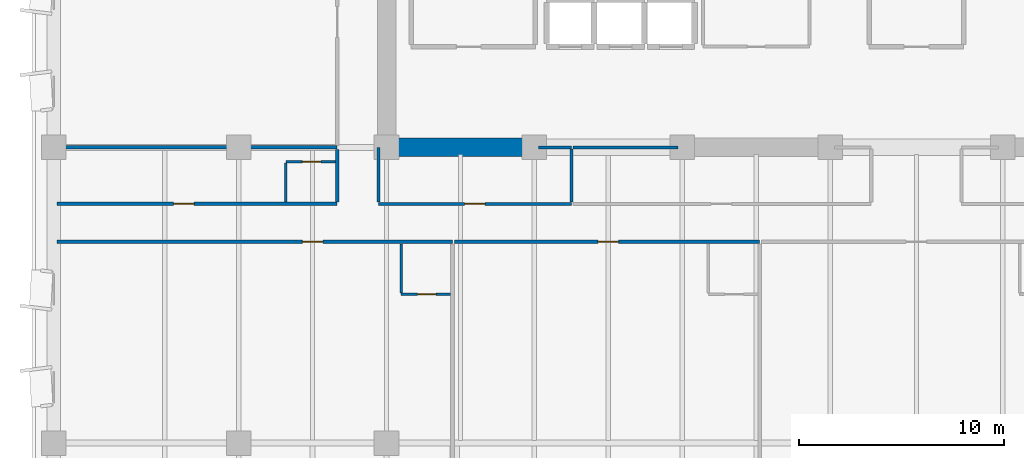
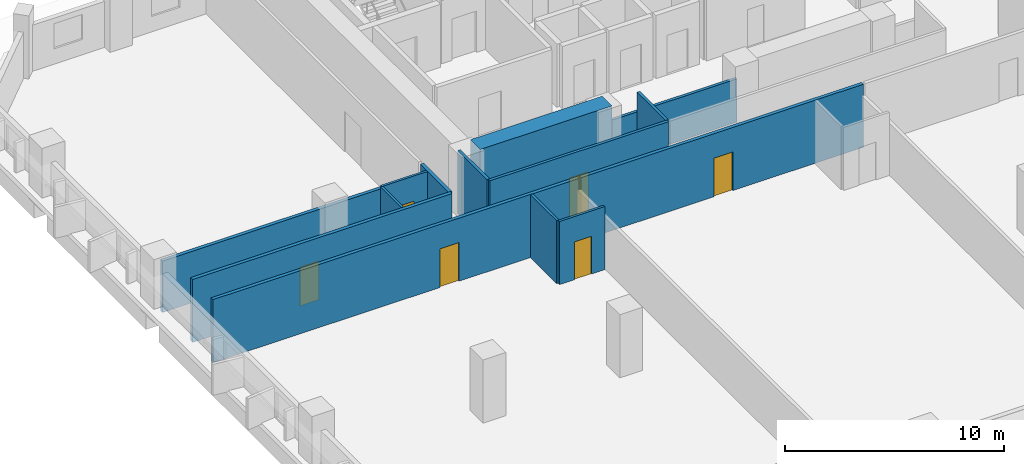
# One storey, part 4 of 14: 15 walls, 6 doors, 6 openings.
"""IFC4 building model written with IfcOpenShell, lengths in metres."""

from ifc_helpers import new_model, si_unit, direction, frame, frame_2d, origin, place, context, subcontext, project, spatial, rectangle, extrude, material, layer, layer_set, type_object, element, fill, save


model = new_model("IFC4")

# Units and contexts
model_context = context("Model", 3, precision=1e-05, world=origin(), true_north=direction((0.0, 1.0)))
body_context = subcontext(model_context, "Body", "Model", "MODEL_VIEW")
ifc_project = project(units=[si_unit("LENGTHUNIT", "METRE"), si_unit("AREAUNIT", "SQUARE_METRE"), si_unit("VOLUMEUNIT", "CUBIC_METRE"), si_unit("PLANEANGLEUNIT", "RADIAN"), si_unit("MASSUNIT", "GRAM", prefix="KILO")], contexts=[model_context])

# Site, building, storey
site_placement = place(None, origin())
site = spatial("IfcSite", under=ifc_project, at=site_placement, CompositionType="ELEMENT")
building_placement = place(site_placement, origin())
building = spatial("IfcBuilding", under=site, at=building_placement, Name="Kaelvorn Grand Hotel", CompositionType="ELEMENT")
storey_placement = place(building_placement, frame((0.0, 0.0, 123.050048828125)))
storey = spatial("IfcBuildingStorey", under=building, at=storey_placement, Name="L29", CompositionType="ELEMENT", Elevation=123.050048828125)

# Wall
ifc_material_1 = material(Name="Concrete C60/75", Category="concrete")
ifc_layer_1 = layer(ifc_material_1, 0.89990234375)
ifc_layer_set_1 = layer_set([ifc_layer_1], Name="Concrete C60/75")
wall_type_1 = type_object("IfcWallType", Name="WL-CORE-900-C60", PredefinedType="SHEAR", material=ifc_layer_set_1)
wall_1_placement = place(storey_placement, frame((16.655029296875, 29.39990234375, 0.0), z_axis=(0.0, 0.0, 1.0), x_axis=(1.0, 0.0, 0.0)))
element("IfcWall", 1, at=wall_1_placement, inside=storey, type_object=wall_type_1, Name="L29 Rear-Core Coupled Shear Pier S1", PredefinedType="SHEAR", context=body_context, shape_type="SweptSolid", body=[
    extrude(rectangle(XDim=6.945068359375, YDim=0.89990234375, at=frame_2d((3.47265625, 0.0))), origin(), (0.0, 0.0, 1.0), 3.510009765625),
])

# Wall, opening, door
ifc_material_2 = material(Name="Moisture-Resistant Tile & Stud Board")
ifc_layer_2 = layer(ifc_material_2, 0.125)
ifc_layer_set_2 = layer_set([ifc_layer_2], Name="Moisture-Resistant Tile & Stud Board")
wall_type_2 = type_object("IfcWallType", Name="WL-PART-125-WET", PredefinedType="PARTITIONING", material=ifc_layer_set_2)
wall_2_placement = place(storey_placement, frame((16.909912109375, 22.25, 0.0), z_axis=(0.0, 0.0, 1.0), x_axis=(1.0, 0.0, 0.0)))
wall_2 = element("IfcWall", 2, at=wall_2_placement, inside=storey, type_object=wall_type_2, Name="L29 En-suite Bathroom L29-01 S Partition", PredefinedType="PARTITIONING", context=body_context, shape_type="SweptSolid", body=[
    extrude(rectangle(XDim=2.40478515625, YDim=0.125, at=frame_2d((1.202392578125, 0.0))), origin(), (0.0, 0.0, 1.0), 3.510009765625),
])
opening_1_placement = place(wall_2_placement, frame((0.800048828125, 0.0, 0.0)))
opening_1 = element("IfcOpeningElement", 3, at=opening_1_placement, cuts=wall_2, Name="Opening DI4", PredefinedType="OPENING", context=body_context, shape_type="SweptSolid", body=[
    extrude(rectangle(XDim=0.89990234375, YDim=2.10009765625, at=frame_2d((0.449951171875, 1.050048828125))), frame((0.0, 0.072509765625, 0.0), z_axis=(0.0, -1.0, 0.0), x_axis=(1.0, 0.0, 0.0)), (0.0, 0.0, 1.0), 0.14501953125),
])
ifc_material_3 = material(Name="Timber Veneer Leaf", Category="wood")
door_type_1 = type_object("IfcDoorType", Name="DR-INT-BATH-900x2100", OperationType="NOTDEFINED", PredefinedType="DOOR", material=ifc_material_3)
door_1_placement = place(opening_1_placement, origin())
door_1 = element("IfcDoor", 4, at=door_1_placement, inside=storey, type_object=door_type_1, Name="L29 En-suite Bathroom L29-01 Door", OperationType="SINGLE_SWING_LEFT", OverallHeight=2.10009765625, OverallWidth=0.89990234375, PredefinedType="DOOR", context=body_context, shape_type="SweptSolid", body=[
    extrude(rectangle(XDim=0.89990234375, YDim=2.10009765625, at=frame_2d((0.449951171875, 1.050048828125))), frame((0.0, 0.02490234375, 0.0), z_axis=(0.0, -1.0, 0.0), x_axis=(1.0, 0.0, 0.0)), (0.0, 0.0, 1.0), 0.050048828125),
])
fill(opening_1, door_1)

# Wall
wall_3_placement = place(storey_placement, frame((16.909912109375, 22.3173828125, 0.0), z_axis=(0.0, 0.0, 1.0), x_axis=(0.0, 1.0, 0.0)))
element("IfcWall", 5, at=wall_3_placement, inside=storey, type_object=wall_type_2, Name="L29 En-suite Bathroom L29-01 W Partition", PredefinedType="PARTITIONING", context=body_context, shape_type="SweptSolid", body=[
    extrude(rectangle(XDim=2.3876953125, YDim=0.125, at=frame_2d((1.19384765625, 0.0))), origin(), (0.0, 0.0, 1.0), 3.510009765625),
])

# Wall, opening, door
wall_4_placement = place(storey_placement, frame((11.300048828125, 28.699951171875, 0.0), z_axis=(0.0, 0.0, 1.0), x_axis=(1.0, 0.0, 0.0)))
wall_4 = element("IfcWall", 6, at=wall_4_placement, inside=storey, type_object=wall_type_2, Name="L29 En-suite Bathroom L29-06 N Partition", PredefinedType="PARTITIONING", context=body_context, shape_type="SweptSolid", body=[
    extrude(rectangle(XDim=2.405029296875, YDim=0.125, at=frame_2d((1.20263671875, 0.0))), origin(), (0.0, 0.0, 1.0), 3.510009765625),
])
opening_2_placement = place(wall_4_placement, frame((0.800048828125, 0.0, 0.0)))
opening_2 = element("IfcOpeningElement", 7, at=opening_2_placement, cuts=wall_4, Name="Opening DI4", PredefinedType="OPENING", context=body_context, shape_type="SweptSolid", body=[
    extrude(rectangle(XDim=0.89990234375, YDim=2.10009765625, at=frame_2d((0.449951171875, 1.050048828125))), frame((0.0, 0.072509765625, 0.0), z_axis=(0.0, -1.0, 0.0), x_axis=(1.0, 0.0, 0.0)), (0.0, 0.0, 1.0), 0.14501953125),
])
door_2_placement = place(opening_2_placement, origin())
door_2 = element("IfcDoor", 8, at=door_2_placement, inside=storey, type_object=door_type_1, Name="L29 En-suite Bathroom L29-06 Door", OperationType="SINGLE_SWING_LEFT", OverallHeight=2.10009765625, OverallWidth=0.89990234375, PredefinedType="DOOR", context=body_context, shape_type="SweptSolid", body=[
    extrude(rectangle(XDim=0.89990234375, YDim=2.10009765625, at=frame_2d((0.449951171875, 1.050048828125))), frame((0.0, 0.02490234375, 0.0), z_axis=(0.0, -1.0, 0.0), x_axis=(1.0, 0.0, 0.0)), (0.0, 0.0, 1.0), 0.050048828125),
])
fill(opening_2, door_2)

# Wall
wall_5_placement = place(storey_placement, frame((11.300048828125, 26.7451171875, 0.0), z_axis=(0.0, 0.0, 1.0), x_axis=(0.0, 1.0, 0.0)))
element("IfcWall", 9, at=wall_5_placement, inside=storey, type_object=wall_type_2, Name="L29 En-suite Bathroom L29-06 W Partition", PredefinedType="PARTITIONING", context=body_context, shape_type="SweptSolid", body=[
    extrude(rectangle(XDim=1.887451171875, YDim=0.125, at=frame_2d((0.94384765625, 0.0))), origin(), (0.0, 0.0, 1.0), 3.510009765625),
])

# Wall, opening, door
ifc_material_4 = material(Name="Acoustic Gypsum & Stud Partition")
ifc_layer_3 = layer(ifc_material_4, 0.14990234375)
ifc_layer_set_3 = layer_set([ifc_layer_3], Name="Acoustic Gypsum & Stud Partition")
wall_type_3 = type_object("IfcWallType", Name="WL-PART-150-EI60", PredefinedType="PARTITIONING", material=ifc_layer_set_3)
wall_6_placement = place(storey_placement, frame((15.800048828125, 26.64990234375, 0.0), z_axis=(0.0, 0.0, 1.0), x_axis=(1.0, 0.0, 0.0)))
wall_6 = element("IfcWall", 10, at=wall_6_placement, inside=storey, type_object=wall_type_3, Name="L29 Music & Recital Salon S Partition", PredefinedType="PARTITIONING", context=body_context, shape_type="SweptSolid", body=[
    extrude(rectangle(XDim=9.39990234375, YDim=0.14990234375, at=frame_2d((4.699951171875, 0.0))), origin(), (0.0, 0.0, 1.0), 3.510009765625),
])
opening_3_placement = place(wall_6_placement, frame((4.199951171875, 0.0, 0.0)))
opening_3 = element("IfcOpeningElement", 11, at=opening_3_placement, cuts=wall_6, Name="Opening DI3", PredefinedType="OPENING", context=body_context, shape_type="SweptSolid", body=[
    extrude(rectangle(XDim=1.0, YDim=2.14990234375, at=frame_2d((0.5, 1.074951171875))), frame((0.0, 0.0849609375, 0.0), z_axis=(0.0, -1.0, 0.0), x_axis=(1.0, 0.0, 0.0)), (0.0, 0.0, 1.0), 0.169921875),
])
ifc_material_5 = material(Name="Timber Veneer Fire Leaf", Category="wood")
door_type_2 = type_object("IfcDoorType", Name="DR-INT-GUEST-1000x2150", OperationType="NOTDEFINED", PredefinedType="DOOR", material=ifc_material_5)
door_3_placement = place(opening_3_placement, origin())
door_3 = element("IfcDoor", 12, at=door_3_placement, inside=storey, type_object=door_type_2, Name="L29 Music & Recital Salon Door", OperationType="SINGLE_SWING_RIGHT", OverallHeight=2.14990234375, OverallWidth=1.0, PredefinedType="DOOR", context=body_context, shape_type="SweptSolid", body=[
    extrude(rectangle(XDim=1.0, YDim=2.14990234375, at=frame_2d((0.5, 1.074951171875))), frame((0.0, 0.02490234375, 0.0), z_axis=(0.0, -1.0, 0.0), x_axis=(1.0, 0.0, 0.0)), (0.0, 0.0, 1.0), 0.050048828125),
])
fill(opening_3, door_3)

# Walls
wall_7_placement = place(storey_placement, frame((23.610107421875, 29.39990234375, 0.0), z_axis=(0.0, 0.0, 1.0), x_axis=(1.0, 0.0, 0.0)))
element("IfcWall", 13, at=wall_7_placement, inside=storey, type_object=wall_type_3, Name="L29 Music & Recital Salon N Partition", PredefinedType="PARTITIONING", context=body_context, shape_type="SweptSolid", body=[
    extrude(rectangle(XDim=1.58984375, YDim=0.14990234375, at=frame_2d((0.794921875, 0.0))), origin(), (0.0, 0.0, 1.0), 2.409912109375),
])
wall_8_placement = place(storey_placement, frame((15.800048828125, 26.72998046875, 0.0), z_axis=(0.0, 0.0, 1.0), x_axis=(0.0, 1.0, 0.0)))
element("IfcWall", 14, at=wall_8_placement, inside=storey, type_object=wall_type_3, Name="L29 Music & Recital Salon W Partition", PredefinedType="PARTITIONING", context=body_context, shape_type="SweptSolid", body=[
    extrude(rectangle(XDim=2.659912109375, YDim=0.14990234375, at=frame_2d((1.330078125, 0.0))), origin(), (0.0, 0.0, 1.0), 3.510009765625),
])
wall_9_placement = place(storey_placement, frame((25.199951171875, 26.72998046875, 0.0), z_axis=(0.0, 0.0, 1.0), x_axis=(0.0, 1.0, 0.0)))
element("IfcWall", 15, at=wall_9_placement, inside=storey, type_object=wall_type_3, Name="L29 Music & Recital Salon E Partition", PredefinedType="PARTITIONING", context=body_context, shape_type="SweptSolid", body=[
    extrude(rectangle(XDim=2.590087890625, YDim=0.14990234375, at=frame_2d((1.294921875, 0.0))), origin(), (0.0, 0.0, 1.0), 3.510009765625),
])
wall_10_placement = place(storey_placement, frame((25.280029296875, 29.39990234375, 0.0), z_axis=(0.0, 0.0, 1.0), x_axis=(1.0, 0.0, 0.0)))
element("IfcWall", 16, at=wall_10_placement, inside=storey, type_object=wall_type_3, Name="L29 Banquet Prep Kitchen N Partition (1)", PredefinedType="PARTITIONING", context=body_context, shape_type="SweptSolid", body=[
    extrude(rectangle(XDim=5.10986328125, YDim=0.14990234375, at=frame_2d((2.554931640625, 0.0))), origin(), (0.0, 0.0, 1.0), 2.409912109375),
])

# Wall, opening, door
ifc_layer_4 = layer(ifc_material_4, 0.179931640625)
ifc_layer_set_4 = layer_set([ifc_layer_4], Name="Acoustic Gypsum & Stud Partition")
wall_type_4 = type_object("IfcWallType", Name="WL-PART-180-EI60", PredefinedType="PARTITIONING", material=ifc_layer_set_4)
wall_11_placement = place(storey_placement, frame((0.14990234375, 24.800048828125, 0.0), z_axis=(0.0, 0.0, 1.0), x_axis=(1.0, 0.0, 0.0)))
wall_11 = element("IfcWall", 17, at=wall_11_placement, inside=storey, type_object=wall_type_4, Name="L29 Presidential Sky Suite L29-01 N Partition", PredefinedType="PARTITIONING", context=body_context, shape_type="SweptSolid", body=[
    extrude(rectangle(XDim=19.260009765625, YDim=0.179931640625, at=frame_2d((9.6298828125, 0.0))), origin(), (0.0, 0.0, 1.0), 3.510009765625),
])
opening_4_placement = place(wall_11_placement, frame((11.949951171875, 0.0, 0.0)))
opening_4 = element("IfcOpeningElement", 18, at=opening_4_placement, cuts=wall_11, Name="Opening DI3", PredefinedType="OPENING", context=body_context, shape_type="SweptSolid", body=[
    extrude(rectangle(XDim=1.0, YDim=2.14990234375, at=frame_2d((0.5, 1.074951171875))), frame((0.0, 0.10009765625, 0.0), z_axis=(0.0, -1.0, 0.0), x_axis=(1.0, 0.0, 0.0)), (0.0, 0.0, 1.0), 0.199951171875),
])
door_4_placement = place(opening_4_placement, origin())
door_4 = element("IfcDoor", 19, at=door_4_placement, inside=storey, type_object=door_type_2, Name="L29 Presidential Sky Suite L29-01 Door", OperationType="SINGLE_SWING_RIGHT", OverallHeight=2.14990234375, OverallWidth=1.0, PredefinedType="DOOR", context=body_context, shape_type="SweptSolid", body=[
    extrude(rectangle(XDim=1.0, YDim=2.14990234375, at=frame_2d((0.5, 1.074951171875))), frame((0.0, 0.02490234375, 0.0), z_axis=(0.0, -1.0, 0.0), x_axis=(1.0, 0.0, 0.0)), (0.0, 0.0, 1.0), 0.050048828125),
])
fill(opening_4, door_4)

wall_12_placement = place(storey_placement, frame((19.5048828125, 24.800048828125, 0.0), z_axis=(0.0, 0.0, 1.0), x_axis=(1.0, 0.0, 0.0)))
wall_12 = element("IfcWall", 20, at=wall_12_placement, inside=storey, type_object=wall_type_4, Name="L29 Presidential Sky Suite L29-02 N Partition", PredefinedType="PARTITIONING", context=body_context, shape_type="SweptSolid", body=[
    extrude(rectangle(XDim=14.864501953125, YDim=0.179931640625, at=frame_2d((7.43212890625, 0.0))), origin(), (0.0, 0.0, 1.0), 3.510009765625),
])
opening_5_placement = place(wall_12_placement, frame((6.9951171875, 0.0, 0.0)))
opening_5 = element("IfcOpeningElement", 21, at=opening_5_placement, cuts=wall_12, Name="Opening DI3", PredefinedType="OPENING", context=body_context, shape_type="SweptSolid", body=[
    extrude(rectangle(XDim=1.0, YDim=2.14990234375, at=frame_2d((0.5, 1.074951171875))), frame((0.0, 0.10009765625, 0.0), z_axis=(0.0, -1.0, 0.0), x_axis=(1.0, 0.0, 0.0)), (0.0, 0.0, 1.0), 0.199951171875),
])
door_5_placement = place(opening_5_placement, origin())
door_5 = element("IfcDoor", 22, at=door_5_placement, inside=storey, type_object=door_type_2, Name="L29 Presidential Sky Suite L29-02 Door", OperationType="SINGLE_SWING_RIGHT", OverallHeight=2.14990234375, OverallWidth=1.0, PredefinedType="DOOR", context=body_context, shape_type="SweptSolid", body=[
    extrude(rectangle(XDim=1.0, YDim=2.14990234375, at=frame_2d((0.5, 1.074951171875))), frame((0.0, 0.02490234375, 0.0), z_axis=(0.0, -1.0, 0.0), x_axis=(1.0, 0.0, 0.0)), (0.0, 0.0, 1.0), 0.050048828125),
])
fill(opening_5, door_5)

wall_13_placement = place(storey_placement, frame((0.14990234375, 26.64990234375, 0.0), z_axis=(0.0, 0.0, 1.0), x_axis=(1.0, 0.0, 0.0)))
wall_13 = element("IfcWall", 23, at=wall_13_placement, inside=storey, type_object=wall_type_4, Name="L29 West Chamfer Corner Suite L29-06 S Partition", PredefinedType="PARTITIONING", context=body_context, shape_type="SweptSolid", body=[
    extrude(rectangle(XDim=13.650146484375, YDim=0.179931640625, at=frame_2d((6.8251953125, 0.0))), origin(), (0.0, 0.0, 1.0), 3.510009765625),
])
opening_6_placement = place(wall_13_placement, frame((5.68505859375, 0.0, 0.0)))
opening_6 = element("IfcOpeningElement", 24, at=opening_6_placement, cuts=wall_13, Name="Opening DI3", PredefinedType="OPENING", context=body_context, shape_type="SweptSolid", body=[
    extrude(rectangle(XDim=1.0, YDim=2.14990234375, at=frame_2d((0.5, 1.074951171875))), frame((0.0, 0.10009765625, 0.0), z_axis=(0.0, -1.0, 0.0), x_axis=(1.0, 0.0, 0.0)), (0.0, 0.0, 1.0), 0.199951171875),
])
door_6_placement = place(opening_6_placement, origin())
door_6 = element("IfcDoor", 25, at=door_6_placement, inside=storey, type_object=door_type_2, Name="L29 West Chamfer Corner Suite L29-06 Door", OperationType="SINGLE_SWING_RIGHT", OverallHeight=2.14990234375, OverallWidth=1.0, PredefinedType="DOOR", context=body_context, shape_type="SweptSolid", body=[
    extrude(rectangle(XDim=1.0, YDim=2.14990234375, at=frame_2d((0.5, 1.074951171875))), frame((0.0, 0.02490234375, 0.0), z_axis=(0.0, -1.0, 0.0), x_axis=(1.0, 0.0, 0.0)), (0.0, 0.0, 1.0), 0.050048828125),
])
fill(opening_6, door_6)

# Walls
wall_14_placement = place(storey_placement, frame((0.14990234375, 29.39990234375, 0.0), z_axis=(0.0, 0.0, 1.0), x_axis=(1.0, 0.0, 0.0)))
element("IfcWall", 26, at=wall_14_placement, inside=storey, type_object=wall_type_4, Name="L29 West Chamfer Corner Suite L29-06 N Partition", PredefinedType="PARTITIONING", context=body_context, shape_type="SweptSolid", body=[
    extrude(rectangle(XDim=13.650146484375, YDim=0.179931640625, at=frame_2d((6.8251953125, 0.0))), origin(), (0.0, 0.0, 1.0), 2.85986328125),
])
wall_15_placement = place(storey_placement, frame((13.800048828125, 26.7451171875, 0.0), z_axis=(0.0, 0.0, 1.0), x_axis=(0.0, 1.0, 0.0)))
element("IfcWall", 27, at=wall_15_placement, inside=storey, type_object=wall_type_4, Name="L29 West Chamfer Corner Suite L29-06 E Partition", PredefinedType="PARTITIONING", context=body_context, shape_type="SweptSolid", body=[
    extrude(rectangle(XDim=2.559814453125, YDim=0.179931640625, at=frame_2d((1.27978515625, 0.0))), origin(), (0.0, 0.0, 1.0), 3.510009765625),
])

save(model, "model.ifc")
